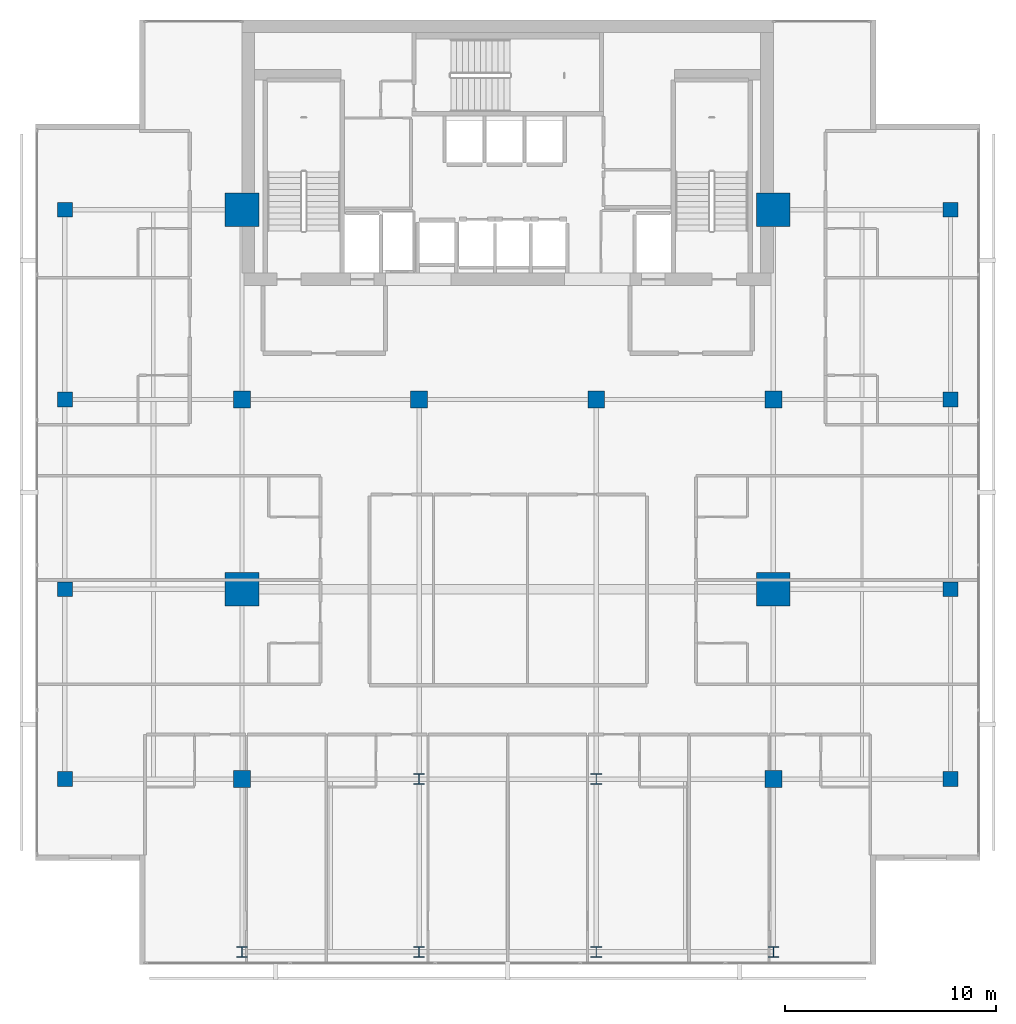
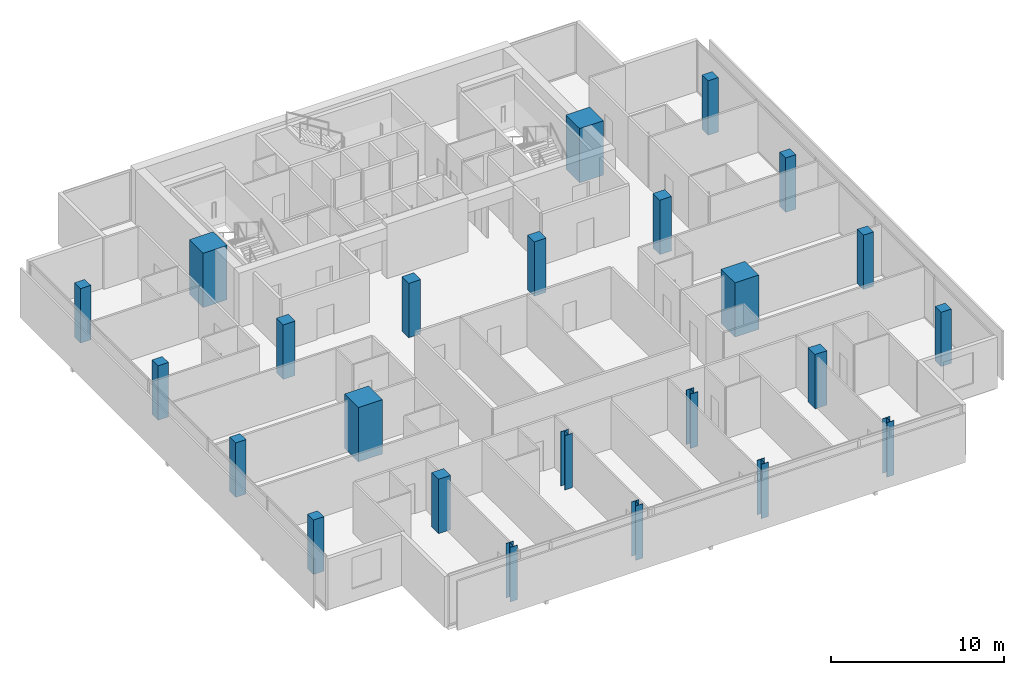
# One storey, part 1 of 25: 24 columns.
"""IFC4 building model written with IfcOpenShell, lengths in metres."""

from ifc_helpers import new_model, si_unit, direction, frame, origin, origin_2d, place, context, subcontext, project, spatial, rectangle, i_section, extrude, material, material_profile, profile_set, type_object, element, save


model = new_model("IFC4")

# Units and contexts
model_context = context("Model", 3, precision=1e-05, world=origin(), true_north=direction((0.0, 1.0)))
body_context = subcontext(model_context, "Body", "Model", "MODEL_VIEW")
ifc_project = project(units=[si_unit("LENGTHUNIT", "METRE"), si_unit("AREAUNIT", "SQUARE_METRE"), si_unit("VOLUMEUNIT", "CUBIC_METRE"), si_unit("PLANEANGLEUNIT", "RADIAN"), si_unit("MASSUNIT", "GRAM", prefix="KILO")], contexts=[model_context])

# Site, building, storey
site_placement = place(None, origin())
site = spatial("IfcSite", under=ifc_project, at=site_placement, CompositionType="ELEMENT")
building_placement = place(site_placement, origin())
building = spatial("IfcBuilding", under=site, at=building_placement, Name="Maruvema Waterfront Hotel and Observation Tower", CompositionType="ELEMENT")
storey_placement = place(building_placement, frame((0.0, 0.0, 250.949951171875)))
storey = spatial("IfcBuildingStorey", under=building, at=storey_placement, Name="L61", CompositionType="ELEMENT", Elevation=250.949951171875)

# Columns
ifc_material_1 = material(Name="Concrete C70/85", Category="concrete")
ifc_material_profile_1 = material_profile(ifc_material_1, rectangle(XDim=1.60009765625, YDim=1.60009765625, at=origin_2d()), Name="MC1600x1600")
ifc_profile_set_1 = profile_set([ifc_material_profile_1], Name="Concrete C70/85")
column_type_1 = type_object("IfcColumnType", Name="Continuous Mega-Column MC1600x1600", PredefinedType="COLUMN", material=ifc_profile_set_1)
for number, where, z_axis, x_axis, name in (
    (1, (25.199951171875, 27.0, 0.0), (0.0, 0.0, 1.0), (1.0, 0.0, 0.0), "L61 Continuous Mega-Column MC-01"),
    (2, (50.39990234375, 27.0, 0.0), (0.0, 0.0, 1.0), (1.0, 0.0, 0.0), "L61 Continuous Mega-Column MC-02"),
    (3, (25.199951171875, 45.0, 0.0), (0.0, 0.0, 1.0), (1.0, 0.0, 0.0), "L61 Continuous Mega-Column MC-03"),
    (4, (50.39990234375, 45.0, 0.0), (0.0, 0.0, 1.0), (1.0, 0.0, 0.0), "L61 Continuous Mega-Column MC-04"),
):
    element("IfcColumn", number, at=place(storey_placement, frame(where, z_axis=z_axis, x_axis=x_axis)), inside=storey, type_object=column_type_1, Name=name, PredefinedType="COLUMN", context=body_context, shape_type="SweptSolid", body=[
        extrude(rectangle(XDim=1.60009765625, YDim=1.60009765625, at=origin_2d()), origin(), (0.0, 0.0, 1.0), 3.85009765625),
    ])
ifc_material_2 = material(Name="Concrete C60/75", Category="concrete")
ifc_material_profile_2 = material_profile(ifc_material_2, rectangle(XDim=0.699951171875, YDim=0.699951171875, at=origin_2d()), Name="RC700x700")
ifc_profile_set_2 = profile_set([ifc_material_profile_2], Name="Concrete C60/75")
column_type_2 = type_object("IfcColumnType", Name="Reinforced Concrete Column RC700x700", PredefinedType="COLUMN", material=ifc_profile_set_2)
for number, where, z_axis, x_axis, name in (
    (5, (16.800048828125, 18.0, 0.0), (0.0, 0.0, 1.0), (1.0, 0.0, 0.0), "L61 Column C-3Y18"),
    (6, (58.800048828125, 18.0, 0.0), (0.0, 0.0, 1.0), (1.0, 0.0, 0.0), "L61 Column C-8Y18"),
    (7, (16.800048828125, 27.0, 0.0), (0.0, 0.0, 1.0), (1.0, 0.0, 0.0), "L61 Column C-3Y27"),
    (8, (58.800048828125, 27.0, 0.0), (0.0, 0.0, 1.0), (1.0, 0.0, 0.0), "L61 Column C-8Y27"),
    (9, (16.800048828125, 36.0, 0.0), (0.0, 0.0, 1.0), (1.0, 0.0, 0.0), "L61 Column C-3Y36"),
    (10, (58.800048828125, 36.0, 0.0), (0.0, 0.0, 1.0), (1.0, 0.0, 0.0), "L61 Column C-8Y36"),
    (11, (16.800048828125, 45.0, 0.0), (0.0, 0.0, 1.0), (1.0, 0.0, 0.0), "L61 Column C-3Y45"),
    (12, (58.800048828125, 45.0, 0.0), (0.0, 0.0, 1.0), (1.0, 0.0, 0.0), "L61 Column C-8Y45"),
):
    element("IfcColumn", number, at=place(storey_placement, frame(where, z_axis=z_axis, x_axis=x_axis)), inside=storey, type_object=column_type_2, Name=name, PredefinedType="COLUMN", context=body_context, shape_type="SweptSolid", body=[
        extrude(rectangle(XDim=0.699951171875, YDim=0.699951171875, at=origin_2d()), origin(), (0.0, 0.0, 1.0), 3.85009765625),
    ])
ifc_material_3 = material(Name="Concrete C60/75", Category="concrete")
ifc_material_profile_3 = material_profile(ifc_material_3, rectangle(XDim=0.800048828125, YDim=0.800048828125, at=origin_2d()), Name="RC800x800")
ifc_profile_set_3 = profile_set([ifc_material_profile_3], Name="Concrete C60/75")
column_type_3 = type_object("IfcColumnType", Name="Reinforced Concrete Column RC800x800", PredefinedType="COLUMN", material=ifc_profile_set_3)
for number, where, z_axis, x_axis, name in (
    (13, (25.199951171875, 36.0, 0.0), (0.0, 0.0, 1.0), (1.0, 0.0, 0.0), "L61 Column C-4E"),
    (14, (33.60009765625, 36.0, 0.0), (0.0, 0.0, 1.0), (1.0, 0.0, 0.0), "L61 Column C-5E"),
    (15, (42.0, 36.0, 0.0), (0.0, 0.0, 1.0), (1.0, 0.0, 0.0), "L61 Column C-6E"),
    (16, (50.39990234375, 36.0, 0.0), (0.0, 0.0, 1.0), (1.0, 0.0, 0.0), "L61 Column C-7E"),
    (17, (25.199951171875, 18.0, 0.0), (0.0, 0.0, 1.0), (1.0, 0.0, 0.0), "L61 Column C-4C"),
    (18, (50.39990234375, 18.0, 0.0), (0.0, 0.0, 1.0), (1.0, 0.0, 0.0), "L61 Column C-7C"),
):
    element("IfcColumn", number, at=place(storey_placement, frame(where, z_axis=z_axis, x_axis=x_axis)), inside=storey, type_object=column_type_3, Name=name, PredefinedType="COLUMN", context=body_context, shape_type="SweptSolid", body=[
        extrude(rectangle(XDim=0.800048828125, YDim=0.800048828125, at=origin_2d()), origin(), (0.0, 0.0, 1.0), 3.85009765625),
    ])
ifc_material_4 = material(Name="Steel ABNT NBR 7007 AR 415 (ASTM A572 Grade 50)", Category="steel")
ifc_material_profile_4 = material_profile(ifc_material_4, i_section(OverallWidth=0.5, OverallDepth=0.5, WebThickness=0.02197265625, FlangeThickness=0.031982421875, at=origin_2d()), Name="CVS500x223")
ifc_profile_set_4 = profile_set([ifc_material_profile_4], Name="Steel ABNT NBR 7007 AR 415 (ASTM A572 Grade 50)")
column_type_4 = type_object("IfcColumnType", Name="Structural Steel Column CVS500x223", PredefinedType="COLUMN", material=ifc_profile_set_4)
for number, where, z_axis, x_axis, name in (
    (19, (33.60009765625, 18.0, 0.0), (0.0, 0.0, 1.0), (1.0, 0.0, 0.0), "L61 Column C-5C"),
    (20, (42.0, 18.0, 0.0), (0.0, 0.0, 1.0), (1.0, 0.0, 0.0), "L61 Column C-6C"),
    (21, (25.199951171875, 9.800048828125, 0.0), (0.0, 0.0, 1.0), (1.0, 0.0, 0.0), "L61 Column C-Z3S4"),
    (22, (33.60009765625, 9.800048828125, 0.0), (0.0, 0.0, 1.0), (1.0, 0.0, 0.0), "L61 Column C-Z3S5"),
    (23, (42.0, 9.800048828125, 0.0), (0.0, 0.0, 1.0), (1.0, 0.0, 0.0), "L61 Column C-Z3S6"),
    (24, (50.39990234375, 9.800048828125, 0.0), (0.0, 0.0, 1.0), (1.0, 0.0, 0.0), "L61 Column C-Z3S7"),
):
    element("IfcColumn", number, at=place(storey_placement, frame(where, z_axis=z_axis, x_axis=x_axis)), inside=storey, type_object=column_type_4, Name=name, PredefinedType="COLUMN", context=body_context, shape_type="SweptSolid", body=[
        extrude(i_section(OverallWidth=0.5, OverallDepth=0.5, WebThickness=0.02197265625, FlangeThickness=0.031982421875, at=origin_2d()), origin(), (0.0, 0.0, 1.0), 3.85009765625),
    ])

save(model, "model.ifc")
